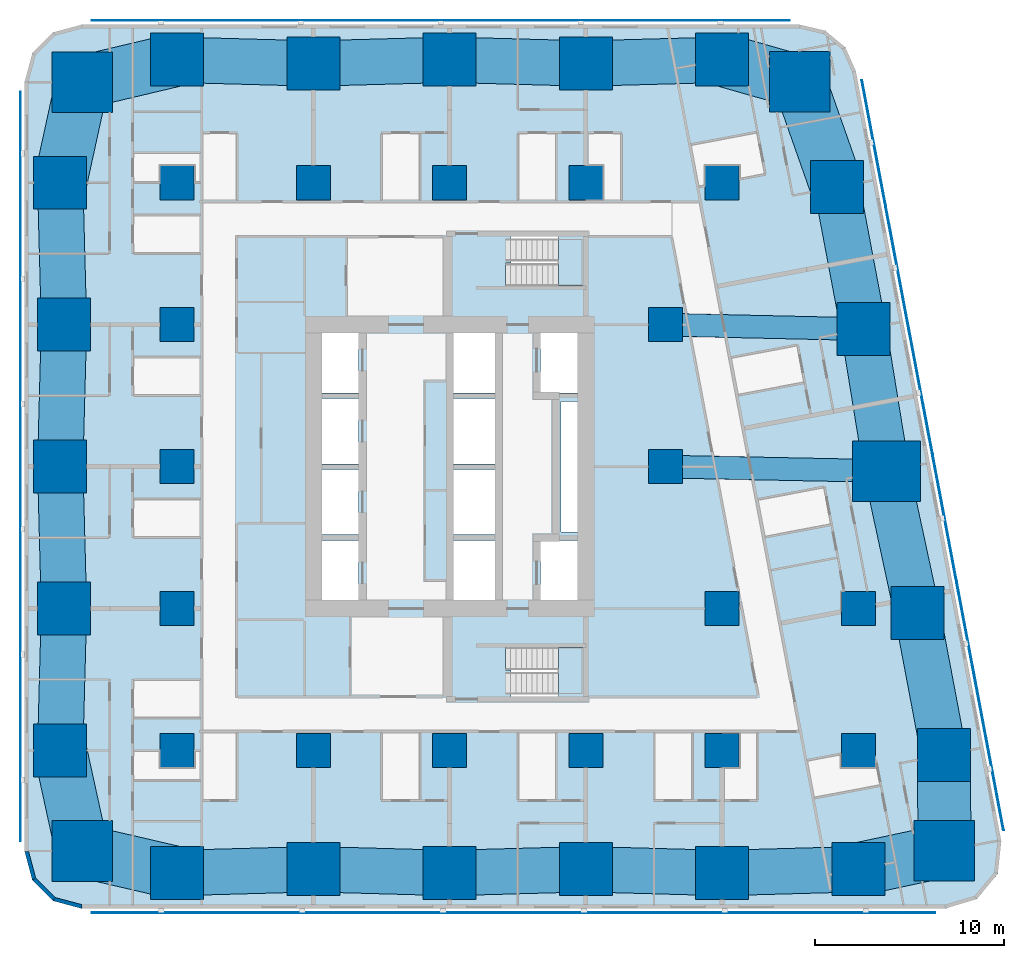
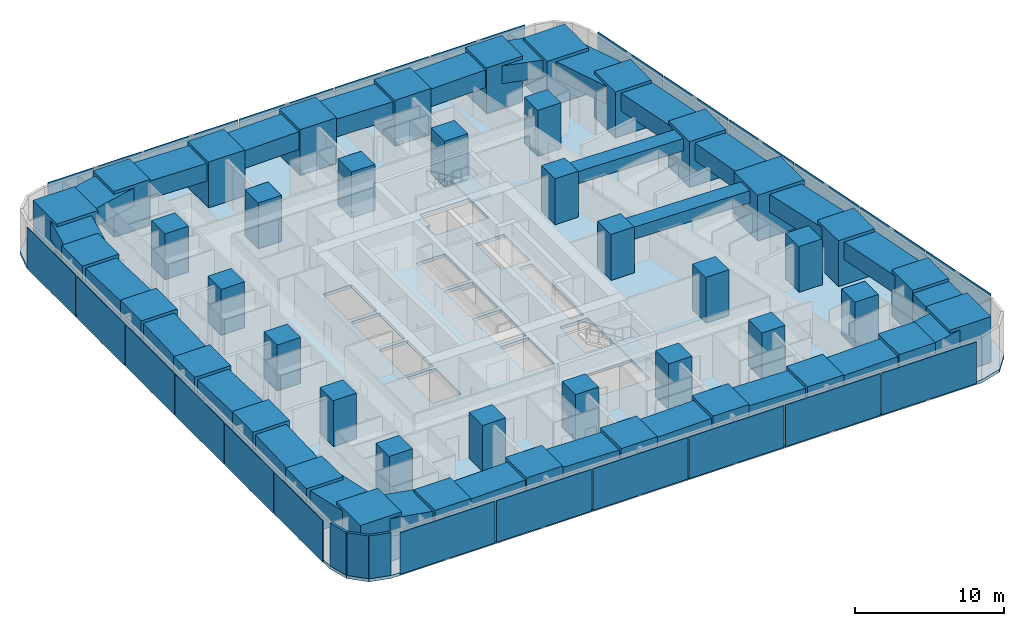
# One storey, part 1 of 15: 43 columns, 27 beams, 23 plates, 3 slabs, 3 walls, 2 elements without a shape of their own.
"""IFC4 building model written with IfcOpenShell, lengths in metres."""

from ifc_helpers import new_model, si_unit, direction, frame, frame_2d, origin, origin_2d, place, context, subcontext, project, spatial, polyline, rectangle, outline, extrude, material, layer, layer_set, material_profile, profile_set, type_object, element, aggregate, save


model = new_model("IFC4")

# Units and contexts
model_context = context("Model", 3, precision=1e-05, world=origin(), true_north=direction((0.0, 1.0)))
body_context = subcontext(model_context, "Body", "Model", "MODEL_VIEW")
ifc_project = project(units=[si_unit("LENGTHUNIT", "METRE"), si_unit("AREAUNIT", "SQUARE_METRE"), si_unit("VOLUMEUNIT", "CUBIC_METRE"), si_unit("PLANEANGLEUNIT", "RADIAN"), si_unit("MASSUNIT", "GRAM", prefix="KILO")], contexts=[model_context])

# Site, building, storey
site_placement = place(None, origin())
site = spatial("IfcSite", under=ifc_project, at=site_placement, CompositionType="ELEMENT")
building_placement = place(site_placement, origin())
building = spatial("IfcBuilding", under=site, at=building_placement, Name="Sheger Commons Tower", CompositionType="ELEMENT")
storey_placement = place(building_placement, frame((0.0, 0.0, 42.5)))
storey = spatial("IfcBuildingStorey", under=building, at=storey_placement, Name="L10", CompositionType="ELEMENT", Elevation=42.5)

# Columns
ifc_material_1 = material(Name="Concrete C50/60", Category="concrete")
ifc_material_profile_1 = material_profile(ifc_material_1, rectangle(XDim=3.60009765625, YDim=3.199951171875, at=origin_2d()), Name="RC 3600x3200")
ifc_profile_set_1 = profile_set([ifc_material_profile_1], Name="Concrete C50/60")
column_type_1 = type_object("IfcColumnType", Name="COLUMN PIER RC 3600x3200", PredefinedType="COLUMN", material=ifc_profile_set_1)
column_placement = place(storey_placement, frame((44.697021484375, 22.262939453125, 0.0), z_axis=(0.0, 0.0, 1.0), x_axis=(1.0, 0.0, 0.0)))
element("IfcColumn", 1, at=column_placement, inside=storey, type_object=column_type_1, Name="Pier 7/D+E/D L10", PredefinedType="COLUMN", context=body_context, shape_type="SweptSolid", body=[
    extrude(rectangle(XDim=3.60009765625, YDim=3.199951171875, at=origin_2d()), origin(), (0.0, 0.0, 1.0), 3.75),
])
ifc_material_2 = material(Name="Concrete C50/60", Category="concrete")
ifc_material_profile_2 = material_profile(ifc_material_2, rectangle(XDim=1.800048828125, YDim=1.800048828125, at=origin_2d()), Name="RC 1800x1800")
ifc_profile_set_2 = profile_set([ifc_material_profile_2], Name="Concrete C50/60")
column_type_2 = type_object("IfcColumnType", Name="COLUMN RC 1800x1800", PredefinedType="COLUMN", material=ifc_profile_set_2)
for number, where, z_axis, x_axis, name in (
    (2, (7.199951171875, 7.5, 0.0), (0.0, 0.0, 1.0), (1.0, 0.0, 0.0), "Column 2/B L10"),
    (3, (14.39990234375, 7.5, 0.0), (0.0, 0.0, 1.0), (1.0, 0.0, 0.0), "Column 3/B L10"),
    (4, (21.60009765625, 7.5, 0.0), (0.0, 0.0, 1.0), (1.0, 0.0, 0.0), "Column 4/B L10"),
    (5, (28.800048828125, 7.5, 0.0), (0.0, 0.0, 1.0), (1.0, 0.0, 0.0), "Column 5/B L10"),
    (6, (36.0, 7.5, 0.0), (0.0, 0.0, 1.0), (1.0, 0.0, 0.0), "Column 6/B L10"),
    (7, (43.199951171875, 7.5, 0.0), (0.0, 0.0, 1.0), (1.0, 0.0, 0.0), "Column 7/B L10"),
    (8, (7.199951171875, 15.0, 0.0), (0.0, 0.0, 1.0), (1.0, 0.0, 0.0), "Column 2/C L10"),
    (9, (36.0, 15.0, 0.0), (0.0, 0.0, 1.0), (1.0, 0.0, 0.0), "Column 6/C L10"),
    (10, (43.199951171875, 15.0, 0.0), (0.0, 0.0, 1.0), (1.0, 0.0, 0.0), "Column 7/C L10"),
    (11, (7.199951171875, 22.5, 0.0), (0.0, 0.0, 1.0), (1.0, 0.0, 0.0), "Column 2/D L10"),
    (12, (33.0, 22.5, 0.0), (0.0, 0.0, 1.0), (1.0, 0.0, 0.0), "Column 6-3000/D L10"),
    (13, (7.199951171875, 30.0, 0.0), (0.0, 0.0, 1.0), (1.0, 0.0, 0.0), "Column 2/E L10"),
    (14, (33.0, 30.0, 0.0), (0.0, 0.0, 1.0), (1.0, 0.0, 0.0), "Column 6-3000/E L10"),
    (15, (7.199951171875, 37.5, 0.0), (0.0, 0.0, 1.0), (1.0, 0.0, 0.0), "Column 2/F L10"),
    (16, (14.39990234375, 37.5, 0.0), (0.0, 0.0, 1.0), (1.0, 0.0, 0.0), "Column 3/F L10"),
    (17, (21.60009765625, 37.5, 0.0), (0.0, 0.0, 1.0), (1.0, 0.0, 0.0), "Column 4/F L10"),
    (18, (28.800048828125, 37.5, 0.0), (0.0, 0.0, 1.0), (1.0, 0.0, 0.0), "Column 5/F L10"),
    (19, (36.0, 37.5, 0.0), (0.0, 0.0, 1.0), (1.0, 0.0, 0.0), "Column 6/F L10"),
):
    element("IfcColumn", number, at=place(storey_placement, frame(where, z_axis=z_axis, x_axis=x_axis)), inside=storey, type_object=column_type_2, Name=name, PredefinedType="COLUMN", context=body_context, shape_type="SweptSolid", body=[
        extrude(rectangle(XDim=1.800048828125, YDim=1.800048828125, at=origin_2d()), origin(), (0.0, 0.0, 1.0), 3.75),
    ])
ifc_material_3 = material(Name="Concrete C50/60", Category="concrete")
ifc_material_profile_3 = material_profile(ifc_material_3, rectangle(XDim=2.800048828125, YDim=2.800048828125, at=origin_2d()), Name="RC 2800x2800")
ifc_profile_set_3 = profile_set([ifc_material_profile_3], Name="Concrete C50/60")
column_type_3 = type_object("IfcColumnType", Name="COLUMN RC 2800x2800", PredefinedType="COLUMN", material=ifc_profile_set_3)
for number, where, z_axis, x_axis, name in (
    (20, (7.199951171875, 1.02490234375, 0.0), (0.0, 0.0, 1.0), (1.0, 0.0, 0.0), "Column 2/A L10"),
    (21, (14.39990234375, 1.22509765625, 0.0), (0.0, 0.0, 1.0), (1.0, 0.0, 0.0), "Column 3/A L10"),
    (22, (21.60009765625, 1.02490234375, 0.0), (0.0, 0.0, 1.0), (1.0, 0.0, 0.0), "Column 4/A L10"),
    (23, (28.800048828125, 1.22509765625, 0.0), (0.0, 0.0, 1.0), (1.0, 0.0, 0.0), "Column 5/A L10"),
    (24, (36.0, 1.02490234375, 0.0), (0.0, 0.0, 1.0), (1.0, 0.0, 0.0), "Column 6/A L10"),
    (25, (43.199951171875, 1.22509765625, 0.0), (0.0, 0.0, 1.0), (1.0, 0.0, 0.0), "Column 7/A L10"),
    (26, (1.02490234375, 7.5, 0.0), (0.0, 0.0, 1.0), (1.0, 0.0, 0.0), "Column 1/B L10"),
    (27, (47.72998046875, 7.262939453125, 0.0), (0.0, 0.0, 1.0), (1.0, 0.0, 0.0), "Column E/B L10"),
    (28, (1.22509765625, 15.0, 0.0), (0.0, 0.0, 1.0), (1.0, 0.0, 0.0), "Column 1/C L10"),
    (29, (46.31396484375, 14.762939453125, 0.0), (0.0, 0.0, 1.0), (1.0, 0.0, 0.0), "Column E/C L10"),
    (30, (1.02490234375, 22.5, 0.0), (0.0, 0.0, 1.0), (1.0, 0.0, 0.0), "Column 1/D L10"),
    (31, (1.22509765625, 30.0, 0.0), (0.0, 0.0, 1.0), (1.0, 0.0, 0.0), "Column 1/E L10"),
    (32, (43.47998046875, 29.762939453125, 0.0), (0.0, 0.0, 1.0), (1.0, 0.0, 0.0), "Column E/E L10"),
    (33, (1.02490234375, 37.5, 0.0), (0.0, 0.0, 1.0), (1.0, 0.0, 0.0), "Column 1/F L10"),
    (34, (42.06396484375, 37.262939453125, 0.0), (0.0, 0.0, 1.0), (1.0, 0.0, 0.0), "Column E/F L10"),
    (35, (7.199951171875, 44.0, 0.0), (0.0, 0.0, 1.0), (1.0, 0.0, 0.0), "Column 2/G L10"),
    (36, (14.39990234375, 43.800048828125, 0.0), (0.0, 0.0, 1.0), (1.0, 0.0, 0.0), "Column 3/G L10"),
    (37, (21.60009765625, 44.0, 0.0), (0.0, 0.0, 1.0), (1.0, 0.0, 0.0), "Column 4/G L10"),
    (38, (28.800048828125, 43.800048828125, 0.0), (0.0, 0.0, 1.0), (1.0, 0.0, 0.0), "Column 5/G L10"),
    (39, (36.0, 44.0, 0.0), (0.0, 0.0, 1.0), (1.0, 0.0, 0.0), "Column 6/G L10"),
):
    element("IfcColumn", number, at=place(storey_placement, frame(where, z_axis=z_axis, x_axis=x_axis)), inside=storey, type_object=column_type_3, Name=name, PredefinedType="COLUMN", context=body_context, shape_type="SweptSolid", body=[
        extrude(rectangle(XDim=2.800048828125, YDim=2.800048828125, at=origin_2d()), origin(), (0.0, 0.0, 1.0), 3.75),
    ])
ifc_material_4 = material(Name="Concrete C50/60", Category="concrete")
ifc_material_profile_4 = material_profile(ifc_material_4, rectangle(XDim=3.199951171875, YDim=3.199951171875, at=origin_2d()), Name="RC 3200x3200")
ifc_profile_set_4 = profile_set([ifc_material_profile_4], Name="Concrete C50/60")
column_type_4 = type_object("IfcColumnType", Name="COLUMN RC 3200x3200", PredefinedType="COLUMN", material=ifc_profile_set_4)
for number, where, z_axis, x_axis, name in (
    (40, (2.18603515625, 2.18603515625, 0.0), (0.0, 0.0, 1.0), (1.0, 0.0, 0.0), "Column 0.630,0.630 L10"),
    (41, (47.748046875, 2.197021484375, 0.0), (0.0, 0.0, 1.0), (1.0, 0.0, 0.0), "Column 49.461,0.778 L10"),
    (42, (2.18603515625, 42.81396484375, 0.0), (0.0, 0.0, 1.0), (1.0, 0.0, 0.0), "Column 0.630,44.370 L10"),
    (43, (40.10205078125, 42.830078125, 0.0), (0.0, 0.0, 1.0), (1.0, 0.0, 0.0), "Column 41.490,44.505 L10"),
):
    element("IfcColumn", number, at=place(storey_placement, frame(where, z_axis=z_axis, x_axis=x_axis)), inside=storey, type_object=column_type_4, Name=name, PredefinedType="COLUMN", context=body_context, shape_type="SweptSolid", body=[
        extrude(rectangle(XDim=3.199951171875, YDim=3.199951171875, at=origin_2d()), origin(), (0.0, 0.0, 1.0), 3.75),
    ])

# Beams
ifc_material_5 = material(Name="Concrete C50/60", Category="concrete")
ifc_material_profile_5 = material_profile(ifc_material_5, rectangle(XDim=1.199951171875, YDim=1.0, at=origin_2d()), Name="RC 1200x1000")
ifc_profile_set_5 = profile_set([ifc_material_profile_5], Name="Concrete C50/60")
beam_type_1 = type_object("IfcBeamType", Name="BEAM RC 1200x1000", PredefinedType="BEAM", material=ifc_profile_set_5)
beam_1_placement = place(storey_placement, frame((33.0, 22.5, 3.0), z_axis=(0.999794692776, -0.02026258368, 0.0), x_axis=(0.02026258368, 0.999794692776, 0.0)))
element("IfcBeam", 44, at=beam_1_placement, inside=storey, type_object=beam_type_1, Name="Beam 6-3000/D-7/D under L11", PredefinedType="BEAM", context=body_context, shape_type="SweptSolid", body=[
    extrude(rectangle(XDim=1.199951171875, YDim=1.0, at=origin_2d()), origin(), (0.0, 0.0, 1.0), 11.699462890625),
])
beam_2_placement = place(storey_placement, frame((33.0, 30.0, 3.0), z_axis=(0.999744258625, -0.022614538395, 0.0), x_axis=(0.022614538395, 0.999744258625, 0.0)))
element("IfcBeam", 45, at=beam_2_placement, inside=storey, type_object=beam_type_1, Name="Beam 6-3000/E-E/E under L11", PredefinedType="BEAM", context=body_context, shape_type="SweptSolid", body=[
    extrude(rectangle(XDim=1.199951171875, YDim=1.0, at=origin_2d()), origin(), (0.0, 0.0, 1.0), 10.482666015625),
])
ifc_material_6 = material(Name="Concrete C50/60", Category="concrete")
ifc_material_profile_6 = material_profile(ifc_material_6, rectangle(XDim=2.39990234375, YDim=1.449951171875, at=origin_2d()), Name="RC 2400x1450")
ifc_profile_set_6 = profile_set([ifc_material_profile_6], Name="Concrete C50/60")
beam_type_2 = type_object("IfcBeamType", Name="SPANDREL RC 2400x1450", PredefinedType="SPANDREL", material=ifc_profile_set_6)
beam_3_placement = place(storey_placement, frame((7.199951171875, 1.02490234375, 2.77490234375), z_axis=(0.9996136624, 0.027794350926, 0.0), x_axis=(-0.027794350926, 0.9996136624, 0.0)))
element("IfcBeam", 46, at=beam_3_placement, inside=storey, type_object=beam_type_2, Name="Beam 2/A-3/A under L11", PredefinedType="SPANDREL", context=body_context, shape_type="SweptSolid", body=[
    extrude(rectangle(XDim=2.39990234375, YDim=1.449951171875, at=origin_2d()), origin(), (0.0, 0.0, 1.0), 7.20263671875),
])
beam_4_placement = place(storey_placement, frame((14.39990234375, 1.22509765625, 2.77490234375), z_axis=(0.999613688584, -0.027793409217, 0.0), x_axis=(0.027793409217, 0.999613688584, 0.0)))
element("IfcBeam", 47, at=beam_4_placement, inside=storey, type_object=beam_type_2, Name="Beam 3/A-4/A under L11", PredefinedType="SPANDREL", context=body_context, shape_type="SweptSolid", body=[
    extrude(rectangle(XDim=2.39990234375, YDim=1.449951171875, at=origin_2d()), origin(), (0.0, 0.0, 1.0), 7.202880859375),
])
for number, where, z_axis, x_axis, name in (
    (48, (21.60009765625, 1.02490234375, 2.77490234375), (0.9996136624, 0.027794350926, 0.0), (-0.027794350926, 0.9996136624, 0.0), "Beam 4/A-5/A under L11"),
    (49, (28.800048828125, 1.22509765625, 2.77490234375), (0.9996136624, -0.027794350926, 0.0), (0.027794350926, 0.9996136624, 0.0), "Beam 5/A-6/A under L11"),
    (50, (36.0, 1.02490234375, 2.77490234375), (0.9996136624, 0.027794350926, 0.0), (-0.027794350926, 0.9996136624, 0.0), "Beam 6/A-7/A under L11"),
):
    element("IfcBeam", number, at=place(storey_placement, frame(where, z_axis=z_axis, x_axis=x_axis)), inside=storey, type_object=beam_type_2, Name=name, PredefinedType="SPANDREL", context=body_context, shape_type="SweptSolid", body=[
        extrude(rectangle(XDim=2.39990234375, YDim=1.449951171875, at=origin_2d()), origin(), (0.0, 0.0, 1.0), 7.20263671875),
    ])
beam_5_placement = place(storey_placement, frame((47.72998046875, 7.262939453125, 2.77490234375), z_axis=(-0.18552441405, 0.982639655108, 0.0), x_axis=(-0.982639655108, -0.18552441405, 0.0)))
element("IfcBeam", 51, at=beam_5_placement, inside=storey, type_object=beam_type_2, Name="Beam E/B-E/C under L11", PredefinedType="SPANDREL", context=body_context, shape_type="SweptSolid", body=[
    extrude(rectangle(XDim=2.39990234375, YDim=1.449951171875, at=origin_2d()), origin(), (0.0, 0.0, 1.0), 7.632568359375),
])
beam_6_placement = place(storey_placement, frame((46.31396484375, 14.762939453125, 2.77490234375), z_axis=(-0.210750229323, 0.977539943348, 0.0), x_axis=(-0.977539943348, -0.210750229323, 0.0)))
element("IfcBeam", 52, at=beam_6_placement, inside=storey, type_object=beam_type_2, Name="Beam E/C-E/D under L11", PredefinedType="SPANDREL", context=body_context, shape_type="SweptSolid", body=[
    extrude(rectangle(XDim=2.39990234375, YDim=1.449951171875, at=origin_2d()), origin(), (0.0, 0.0, 1.0), 7.67236328125),
])
beam_7_placement = place(storey_placement, frame((44.697021484375, 22.262939453125, 2.77490234375), z_axis=(-0.160176929512, 0.987088319884, 0.0), x_axis=(-0.987088319884, -0.160176929512, 0.0)))
element("IfcBeam", 53, at=beam_7_placement, inside=storey, type_object=beam_type_2, Name="Beam E/D-E/E under L11", PredefinedType="SPANDREL", context=body_context, shape_type="SweptSolid", body=[
    extrude(rectangle(XDim=2.39990234375, YDim=1.449951171875, at=origin_2d()), origin(), (0.0, 0.0, 1.0), 7.59814453125),
])
beam_8_placement = place(storey_placement, frame((43.47998046875, 29.762939453125, 2.77490234375), z_axis=(-0.18552441405, 0.982639655108, 0.0), x_axis=(-0.982639655108, -0.18552441405, 0.0)))
element("IfcBeam", 54, at=beam_8_placement, inside=storey, type_object=beam_type_2, Name="Beam E/E-E/F under L11", PredefinedType="SPANDREL", context=body_context, shape_type="SweptSolid", body=[
    extrude(rectangle(XDim=2.39990234375, YDim=1.449951171875, at=origin_2d()), origin(), (0.0, 0.0, 1.0), 7.632568359375),
])
for number, where, z_axis, x_axis, name in (
    (55, (36.0, 44.0, 2.77490234375), (-0.999614603568, -0.027760481514, 0.0), (0.027760481514, -0.999614603568, 0.0), "Beam 6/G-5/G under L11"),
    (56, (28.800048828125, 43.800048828125, 2.77490234375), (-0.999614603568, 0.027760481514, 0.0), (-0.027760481514, -0.999614603568, 0.0), "Beam 5/G-4/G under L11"),
):
    element("IfcBeam", number, at=place(storey_placement, frame(where, z_axis=z_axis, x_axis=x_axis)), inside=storey, type_object=beam_type_2, Name=name, PredefinedType="SPANDREL", context=body_context, shape_type="SweptSolid", body=[
        extrude(rectangle(XDim=2.39990234375, YDim=1.449951171875, at=origin_2d()), origin(), (0.0, 0.0, 1.0), 7.20263671875),
    ])
beam_9_placement = place(storey_placement, frame((21.60009765625, 44.0, 2.77490234375), z_axis=(-0.999614629688, -0.027759540951, 0.0), x_axis=(0.027759540951, -0.999614629688, 0.0)))
element("IfcBeam", 57, at=beam_9_placement, inside=storey, type_object=beam_type_2, Name="Beam 4/G-3/G under L11", PredefinedType="SPANDREL", context=body_context, shape_type="SweptSolid", body=[
    extrude(rectangle(XDim=2.39990234375, YDim=1.449951171875, at=origin_2d()), origin(), (0.0, 0.0, 1.0), 7.202880859375),
])
beam_10_placement = place(storey_placement, frame((14.39990234375, 43.800048828125, 2.77490234375), z_axis=(-0.999614603568, 0.027760481514, 0.0), x_axis=(-0.027760481514, -0.999614603568, 0.0)))
element("IfcBeam", 58, at=beam_10_placement, inside=storey, type_object=beam_type_2, Name="Beam 3/G-2/G under L11", PredefinedType="SPANDREL", context=body_context, shape_type="SweptSolid", body=[
    extrude(rectangle(XDim=2.39990234375, YDim=1.449951171875, at=origin_2d()), origin(), (0.0, 0.0, 1.0), 7.20263671875),
])
for number, where, z_axis, x_axis, name in (
    (59, (1.02490234375, 37.5, 2.77490234375), (0.026683204125, -0.999643939919, 0.0), (0.999643939919, 0.026683204125, 0.0), "Beam 1/F-1/E under L11"),
    (60, (1.22509765625, 30.0, 2.77490234375), (-0.026683204125, -0.999643939919, 0.0), (0.999643939919, -0.026683204125, 0.0), "Beam 1/E-1/D under L11"),
    (61, (1.02490234375, 22.5, 2.77490234375), (0.026683204125, -0.999643939919, 0.0), (0.999643939919, 0.026683204125, 0.0), "Beam 1/D-1/C under L11"),
    (62, (1.22509765625, 15.0, 2.77490234375), (-0.026683204125, -0.999643939919, 0.0), (0.999643939919, -0.026683204125, 0.0), "Beam 1/C-1/B under L11"),
):
    element("IfcBeam", number, at=place(storey_placement, frame(where, z_axis=z_axis, x_axis=x_axis)), inside=storey, type_object=beam_type_2, Name=name, PredefinedType="SPANDREL", context=body_context, shape_type="SweptSolid", body=[
        extrude(rectangle(XDim=2.39990234375, YDim=1.449951171875, at=origin_2d()), origin(), (0.0, 0.0, 1.0), 7.502685546875),
    ])
ifc_material_7 = material(Name="Concrete C50/60", Category="concrete")
ifc_material_profile_7 = material_profile(ifc_material_7, rectangle(XDim=2.800048828125, YDim=1.449951171875, at=origin_2d()), Name="RC 2800x1450")
ifc_profile_set_7 = profile_set([ifc_material_profile_7], Name="Concrete C50/60")
beam_type_3 = type_object("IfcBeamType", Name="SPANDREL RC 2800x1450", PredefinedType="SPANDREL", material=ifc_profile_set_7)
beam_11_placement = place(storey_placement, frame((2.18603515625, 2.18603515625, 2.77490234375), z_axis=(0.974217413499, -0.225611239159, 0.0), x_axis=(0.225611239159, 0.974217413499, 0.0)))
element("IfcBeam", 63, at=beam_11_placement, inside=storey, type_object=beam_type_3, Name="Beam 0.630,0.630-2/A under L11", PredefinedType="SPANDREL", context=body_context, shape_type="SweptSolid", body=[
    extrude(rectangle(XDim=2.800048828125, YDim=1.449951171875, at=origin_2d()), origin(), (0.0, 0.0, 1.0), 5.146728515625),
])
beam_12_placement = place(storey_placement, frame((43.199951171875, 1.22509765625, 2.77490234375), z_axis=(0.977919796671, 0.208980552394, 0.0), x_axis=(-0.208980552394, 0.977919796671, 0.0)))
element("IfcBeam", 64, at=beam_12_placement, inside=storey, type_object=beam_type_3, Name="Beam 7/A-49.461,0.778 under L11", PredefinedType="SPANDREL", context=body_context, shape_type="SweptSolid", body=[
    extrude(rectangle(XDim=2.800048828125, YDim=1.449951171875, at=origin_2d()), origin(), (0.0, 0.0, 1.0), 4.65087890625),
])
beam_13_placement = place(storey_placement, frame((47.748046875, 2.197021484375, 2.77490234375), z_axis=(-0.003566242382, 0.999993640937, 0.0), x_axis=(-0.999993640937, -0.003566242382, 0.0)))
element("IfcBeam", 65, at=beam_13_placement, inside=storey, type_object=beam_type_3, Name="Beam 49.461,0.778-E/B under L11", PredefinedType="SPANDREL", context=body_context, shape_type="SweptSolid", body=[
    extrude(rectangle(XDim=2.800048828125, YDim=1.449951171875, at=origin_2d()), origin(), (0.0, 0.0, 1.0), 5.06591796875),
])
beam_14_placement = place(storey_placement, frame((42.06396484375, 37.262939453125, 2.77490234375), z_axis=(-0.332374403357, 0.943147526102, 0.0), x_axis=(-0.943147526102, -0.332374403357, 0.0)))
element("IfcBeam", 66, at=beam_14_placement, inside=storey, type_object=beam_type_3, Name="Beam E/F-41.490,44.505 under L11", PredefinedType="SPANDREL", context=body_context, shape_type="SweptSolid", body=[
    extrude(rectangle(XDim=2.800048828125, YDim=1.449951171875, at=origin_2d()), origin(), (0.0, 0.0, 1.0), 5.90283203125),
])
beam_15_placement = place(storey_placement, frame((40.10205078125, 42.830078125, 2.77490234375), z_axis=(-0.961653428129, 0.274267541221, 0.0), x_axis=(-0.274267541221, -0.961653428129, 0.0)))
element("IfcBeam", 67, at=beam_15_placement, inside=storey, type_object=beam_type_3, Name="Beam 41.490,44.505-6/G under L11", PredefinedType="SPANDREL", context=body_context, shape_type="SweptSolid", body=[
    extrude(rectangle(XDim=2.800048828125, YDim=1.449951171875, at=origin_2d()), origin(), (0.0, 0.0, 1.0), 4.265625),
])
beam_16_placement = place(storey_placement, frame((7.199951171875, 44.0, 2.77490234375), z_axis=(-0.97314428949, -0.230195985701, 0.0), x_axis=(0.230195985701, -0.97314428949, 0.0)))
element("IfcBeam", 68, at=beam_16_placement, inside=storey, type_object=beam_type_3, Name="Beam 2/G-0.630,44.370 under L11", PredefinedType="SPANDREL", context=body_context, shape_type="SweptSolid", body=[
    extrude(rectangle(XDim=2.800048828125, YDim=1.449951171875, at=origin_2d()), origin(), (0.0, 0.0, 1.0), 5.15234375),
])
for number, where, z_axis, x_axis, name in (
    (69, (2.18603515625, 42.81396484375, 2.77490234375), (-0.213469314652, -0.976949769283, 0.0), (0.976949769283, -0.213469314652, 0.0), "Beam 0.630,44.370-1/F under L11"),
    (70, (1.02490234375, 7.5, 2.77490234375), (0.213469314652, -0.976949769283, 0.0), (0.976949769283, 0.213469314652, 0.0), "Beam 1/B-0.630,0.630 under L11"),
):
    element("IfcBeam", number, at=place(storey_placement, frame(where, z_axis=z_axis, x_axis=x_axis)), inside=storey, type_object=beam_type_3, Name=name, PredefinedType="SPANDREL", context=body_context, shape_type="SweptSolid", body=[
        extrude(rectangle(XDim=2.800048828125, YDim=1.449951171875, at=origin_2d()), origin(), (0.0, 0.0, 1.0), 5.439453125),
    ])

# Slab
ifc_material_8 = material(Name="Concrete C35/45", Category="concrete")
ifc_layer_1 = layer(ifc_material_8, 0.25)
ifc_layer_set_1 = layer_set([ifc_layer_1], Name="SLAB FLOOR 250")
slab_type_1 = type_object("IfcSlabType", Name="SLAB FLOOR 250", PredefinedType="FLOOR", material=ifc_layer_set_1)
slab_1_placement = place(storey_placement, frame((0.0, 0.0, -0.25)))
element("IfcSlab", 71, at=slab_1_placement, inside=storey, type_object=slab_type_1, Name="L10 floor slab", PredefinedType="FLOOR", context=body_context, shape_type="SweptSolid", body=[
    extrude(outline(polyline([(-0.85009765625, 2.14990234375), (-0.447998046875, 0.64990234375), (0.64990234375, -0.447998046875), (2.14990234375, -0.85009765625), (47.805908203125, -0.85009765625), (49.465087890625, -0.35009765625), (50.570068359375, 0.98388671875), (50.75390625, 2.70703125), (43.06591796875, 43.406982421875), (42.509033203125, 44.660888671875), (41.452880859375, 45.535888671875), (40.117919921875, 45.85009765625), (2.14990234375, 45.85009765625), (0.64990234375, 45.447998046875), (-0.447998046875, 44.35009765625), (-0.85009765625, 42.85009765625), (-0.85009765625, 2.14990234375)]), holes=[polyline([(24.85009765625, 10.35009765625), (28.64990234375, 10.35009765625), (28.64990234375, 12.949951171875), (24.551025390625, 12.949951171875), (24.551025390625, 11.75), (24.85009765625, 11.75), (24.85009765625, 10.35009765625)]), polyline([(24.551025390625, 32.050048828125), (28.64990234375, 32.050048828125), (28.64990234375, 34.64990234375), (24.85009765625, 34.64990234375), (24.85009765625, 33.25), (24.551025390625, 33.25), (24.551025390625, 32.050048828125)]), polyline([(26.39990234375, 15.14990234375), (28.60009765625, 15.14990234375), (28.60009765625, 18.60009765625), (26.39990234375, 18.60009765625), (26.39990234375, 15.14990234375)]), polyline([(26.39990234375, 26.39990234375), (28.60009765625, 26.39990234375), (28.60009765625, 29.85009765625), (26.39990234375, 29.85009765625), (26.39990234375, 26.39990234375)]), polyline([(14.60009765625, 15.14990234375), (16.800048828125, 15.14990234375), (16.800048828125, 18.60009765625), (14.60009765625, 18.60009765625), (14.60009765625, 15.14990234375)]), polyline([(14.60009765625, 18.89990234375), (16.800048828125, 18.89990234375), (16.800048828125, 22.35009765625), (14.60009765625, 22.35009765625), (14.60009765625, 18.89990234375)]), polyline([(14.60009765625, 22.64990234375), (16.800048828125, 22.64990234375), (16.800048828125, 26.10009765625), (14.60009765625, 26.10009765625), (14.60009765625, 22.64990234375)]), polyline([(14.60009765625, 26.39990234375), (16.800048828125, 26.39990234375), (16.800048828125, 29.85009765625), (14.60009765625, 29.85009765625), (14.60009765625, 26.39990234375)]), polyline([(21.800048828125, 15.14990234375), (24.0, 15.14990234375), (24.0, 18.60009765625), (21.800048828125, 18.60009765625), (21.800048828125, 15.14990234375)]), polyline([(21.800048828125, 18.89990234375), (24.0, 18.89990234375), (24.0, 22.35009765625), (21.800048828125, 22.35009765625), (21.800048828125, 18.89990234375)]), polyline([(21.800048828125, 22.64990234375), (24.0, 22.64990234375), (24.0, 26.10009765625), (21.800048828125, 26.10009765625), (21.800048828125, 22.64990234375)]), polyline([(21.800048828125, 26.39990234375), (24.0, 26.39990234375), (24.0, 29.85009765625), (21.800048828125, 29.85009765625), (21.800048828125, 26.39990234375)]), polyline([(27.5, 19.050048828125), (28.5, 19.050048828125), (28.5, 25.949951171875), (27.5, 25.949951171875), (27.5, 19.050048828125)])]), origin(), (0.0, 0.0, 1.0), 0.25),
])

# Plates
ifc_material_9 = material(Name="Perforated black anodised aluminium screen", Category="aluminium")
ifc_layer_2 = layer(ifc_material_9, 0.050048828125)
ifc_layer_set_2 = layer_set([ifc_layer_2], Name="SOLAR SCREEN SCREEN-1")
plate_type = type_object("IfcPlateType", Name="SOLAR SCREEN SCREEN-1", PredefinedType="USERDEFINED", material=ifc_layer_set_2)
for number, where, z_axis, x_axis, name in (
    (72, (6.37109375, -1.074951171875, 0.050048828125), (0.0, 0.0, 1.0), (1.0, 0.0, 0.0), "Perforated solar screen panel"),
    (73, (13.81396484375, -1.074951171875, 0.050048828125), (0.0, 0.0, 1.0), (1.0, 0.0, 0.0), "Perforated solar screen panel"),
    (74, (21.257080078125, -1.074951171875, 0.050048828125), (0.0, 0.0, 1.0), (1.0, 0.0, 0.0), "Perforated solar screen panel"),
    (75, (28.698974609375, -1.074951171875, 0.050048828125), (0.0, 0.0, 1.0), (1.0, 0.0, 0.0), "Perforated solar screen panel"),
    (76, (36.14208984375, -1.074951171875, 0.050048828125), (0.0, 0.0, 1.0), (1.0, 0.0, 0.0), "Perforated solar screen panel"),
    (77, (43.5849609375, -1.074951171875, 0.050048828125), (0.0, 0.0, 1.0), (1.0, 0.0, 0.0), "Perforated solar screen panel"),
):
    element("IfcPlate", number, at=place(storey_placement, frame(where, z_axis=z_axis, x_axis=x_axis)), inside=storey, type_object=plate_type, Name=name, ObjectType="SCREEN", PredefinedType="USERDEFINED", context=body_context, shape_type="SweptSolid", body=[
        extrude(rectangle(XDim=7.343017578125, YDim=0.050048828125, at=origin_2d()), origin(), (0.0, 0.0, 1.0), 3.39990234375),
    ])
for number, where, z_axis, x_axis, name in (
    (78, (50.257080078125, 6.550048828125, 0.050048828125), (0.0, 0.0, 1.0), (-0.185615165645, 0.982622516678, 0.0), "Perforated solar screen panel"),
    (79, (49.007080078125, 13.1689453125, 0.050048828125), (0.0, 0.0, 1.0), (-0.185615165645, 0.982622516678, 0.0), "Perforated solar screen panel"),
    (80, (47.756103515625, 19.7890625, 0.050048828125), (0.0, 0.0, 1.0), (-0.185615165645, 0.982622516678, 0.0), "Perforated solar screen panel"),
    (81, (46.506103515625, 26.408935546875, 0.050048828125), (0.0, 0.0, 1.0), (-0.185615165645, 0.982622516678, 0.0), "Perforated solar screen panel"),
    (82, (45.2548828125, 33.028076171875, 0.050048828125), (0.0, 0.0, 1.0), (-0.185615165645, 0.982622516678, 0.0), "Perforated solar screen panel"),
    (83, (44.0048828125, 39.64794921875, 0.050048828125), (0.0, 0.0, 1.0), (-0.185615165645, 0.982622516678, 0.0), "Perforated solar screen panel"),
):
    element("IfcPlate", number, at=place(storey_placement, frame(where, z_axis=z_axis, x_axis=x_axis)), inside=storey, type_object=plate_type, Name=name, ObjectType="SCREEN", PredefinedType="USERDEFINED", context=body_context, shape_type="SweptSolid", body=[
        extrude(rectangle(XDim=6.636962890625, YDim=0.050048828125, at=origin_2d()), origin(), (0.0, 0.0, 1.0), 3.39990234375),
    ])
for number, where, z_axis, x_axis, name in (
    (84, (35.9208984375, 46.074951171875, 0.050048828125), (0.0, 0.0, 1.0), (-1.0, 0.0, 0.0), "Perforated solar screen panel"),
    (85, (28.528076171875, 46.074951171875, 0.050048828125), (0.0, 0.0, 1.0), (-1.0, 0.0, 0.0), "Perforated solar screen panel"),
    (86, (21.134033203125, 46.074951171875, 0.050048828125), (0.0, 0.0, 1.0), (-1.0, 0.0, 0.0), "Perforated solar screen panel"),
    (87, (13.739990234375, 46.074951171875, 0.050048828125), (0.0, 0.0, 1.0), (-1.0, 0.0, 0.0), "Perforated solar screen panel"),
    (88, (6.346923828125, 46.074951171875, 0.050048828125), (0.0, 0.0, 1.0), (-1.0, 0.0, 0.0), "Perforated solar screen panel"),
):
    element("IfcPlate", number, at=place(storey_placement, frame(where, z_axis=z_axis, x_axis=x_axis)), inside=storey, type_object=plate_type, Name=name, ObjectType="SCREEN", PredefinedType="USERDEFINED", context=body_context, shape_type="SweptSolid", body=[
        extrude(rectangle(XDim=7.2939453125, YDim=0.050048828125, at=origin_2d()), origin(), (0.0, 0.0, 1.0), 3.39990234375),
    ])
for number, where, z_axis, x_axis, name in (
    (89, (-1.074951171875, 39.0419921875, 0.050048828125), (0.0, 0.0, 1.0), (0.0, -1.0, 0.0), "Perforated solar screen panel"),
    (90, (-1.074951171875, 32.425048828125, 0.050048828125), (0.0, 0.0, 1.0), (0.0, -1.0, 0.0), "Perforated solar screen panel"),
    (91, (-1.074951171875, 25.80810546875, 0.050048828125), (0.0, 0.0, 1.0), (0.0, -1.0, 0.0), "Perforated solar screen panel"),
    (92, (-1.074951171875, 19.19189453125, 0.050048828125), (0.0, 0.0, 1.0), (0.0, -1.0, 0.0), "Perforated solar screen panel"),
    (93, (-1.074951171875, 12.574951171875, 0.050048828125), (0.0, 0.0, 1.0), (0.0, -1.0, 0.0), "Perforated solar screen panel"),
    (94, (-1.074951171875, 5.9580078125, 0.050048828125), (0.0, 0.0, 1.0), (0.0, -1.0, 0.0), "Perforated solar screen panel"),
):
    element("IfcPlate", number, at=place(storey_placement, frame(where, z_axis=z_axis, x_axis=x_axis)), inside=storey, type_object=plate_type, Name=name, ObjectType="SCREEN", PredefinedType="USERDEFINED", context=body_context, shape_type="SweptSolid", body=[
        extrude(rectangle(XDim=6.51708984375, YDim=0.050048828125, at=origin_2d()), origin(), (0.0, 0.0, 1.0), 3.39990234375),
    ])

# Stair, slab
ifc_material_10 = material(Name="Concrete C35/45", Category="concrete")
stair_type = type_object("IfcStairType", Name="HALF-TURN STAIR 1200 RISE 3750", PredefinedType="HALF_TURN_STAIR", material=ifc_material_10)
stair_1_placement = place(storey_placement, origin())
stair_1 = element("IfcStair", 95, at=stair_1_placement, inside=storey, type_object=stair_type, Name="Stair S1 L10", PredefinedType="HALF_TURN_STAIR")
ifc_material_11 = material(Name="Concrete C35/45", Category="concrete")
ifc_layer_3 = layer(ifc_material_11, 0.199951171875)
ifc_layer_set_3 = layer_set([ifc_layer_3], Name="STAIR LANDING 200")
slab_type_2 = type_object("IfcSlabType", Name="STAIR LANDING 200", PredefinedType="LANDING", material=ifc_layer_set_3)
slab_2_placement = place(storey_placement, frame((0.0, 0.0, 1.675048828125)))
slab_2 = element("IfcSlab", 96, at=slab_2_placement, type_object=slab_type_2, Name="S1 landing 1", PredefinedType="LANDING", context=body_context, shape_type="SweptSolid", body=[
    extrude(outline(polyline([(27.35009765625, 10.199951171875), (28.800048828125, 10.199951171875), (28.800048828125, 12.949951171875), (27.35009765625, 12.949951171875), (27.35009765625, 10.199951171875)])), origin(), (0.0, 0.0, 1.0), 0.199951171875),
])
aggregate(stair_1, [slab_2])

stair_2_placement = place(storey_placement, origin())
stair_2 = element("IfcStair", 97, at=stair_2_placement, inside=storey, type_object=stair_type, Name="Stair S2 L10", PredefinedType="HALF_TURN_STAIR")
slab_3_placement = place(storey_placement, frame((0.0, 0.0, 1.675048828125)))
slab_3 = element("IfcSlab", 98, at=slab_3_placement, type_object=slab_type_2, Name="S2 landing 1", PredefinedType="LANDING", context=body_context, shape_type="SweptSolid", body=[
    extrude(outline(polyline([(27.35009765625, 32.050048828125), (28.800048828125, 32.050048828125), (28.800048828125, 34.800048828125), (27.35009765625, 34.800048828125), (27.35009765625, 32.050048828125)])), origin(), (0.0, 0.0, 1.0), 0.199951171875),
])
aggregate(stair_2, [slab_3])

# Walls
ifc_material_12 = material(Name="Rendered concrete block masonry, dark grey", Category="masonry")
ifc_layer_4 = layer(ifc_material_12, 0.199951171875)
ifc_layer_set_4 = layer_set([ifc_layer_4], Name="FACADE WALL 200")
wall_type = type_object("IfcWallType", Name="FACADE WALL 200", PredefinedType="SOLIDWALL", material=ifc_layer_set_4)
wall_1_placement = place(storey_placement, frame((-0.75, 2.1630859375, 0.0), z_axis=(0.0, 0.0, 1.0), x_axis=(0.259168954497, -0.965832000415, 0.0)))
element("IfcWall", 99, at=wall_1_placement, inside=storey, type_object=wall_type, Name="Facade wall L10", PredefinedType="SOLIDWALL", context=body_context, shape_type="SweptSolid", body=[
    extrude(rectangle(XDim=1.512939453125, YDim=0.199951171875, at=frame_2d((0.75634765625, 0.0))), origin(), (0.0, 0.0, 1.0), 3.5),
])
wall_2_placement = place(storey_placement, frame((-0.35791015625, 0.701904296875, 0.0), z_axis=(0.0, 0.0, 1.0), x_axis=(0.707106781187, -0.707106781187, 0.0)))
element("IfcWall", 100, at=wall_2_placement, inside=storey, type_object=wall_type, Name="Facade wall L10", PredefinedType="SOLIDWALL", context=body_context, shape_type="SweptSolid", body=[
    extrude(rectangle(XDim=1.498779296875, YDim=0.199951171875, at=frame_2d((0.74951171875, 0.0))), origin(), (0.0, 0.0, 1.0), 3.5),
])
wall_3_placement = place(storey_placement, frame((0.701904296875, -0.35791015625, 0.0), z_axis=(0.0, 0.0, 1.0), x_axis=(0.965832000415, -0.259168954497, 0.0)))
element("IfcWall", 101, at=wall_3_placement, inside=storey, type_object=wall_type, Name="Facade wall L10", PredefinedType="SOLIDWALL", context=body_context, shape_type="SweptSolid", body=[
    extrude(rectangle(XDim=1.512939453125, YDim=0.199951171875, at=frame_2d((0.75634765625, 0.0))), origin(), (0.0, 0.0, 1.0), 3.5),
])

save(model, "model.ifc")
